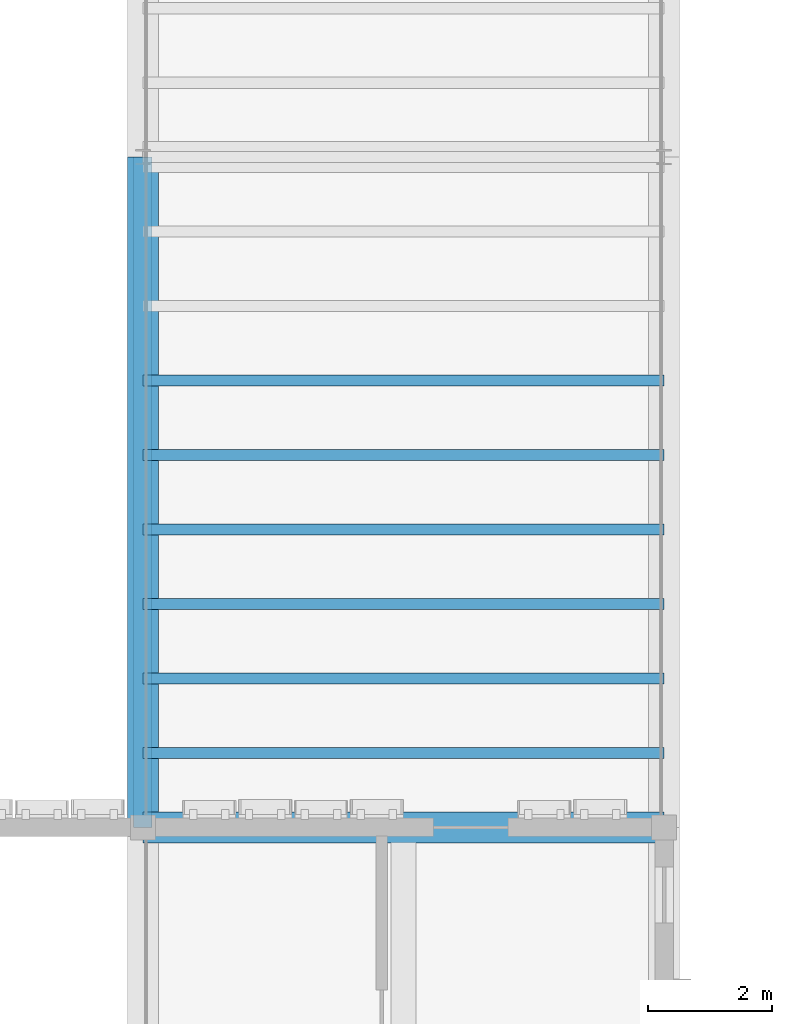
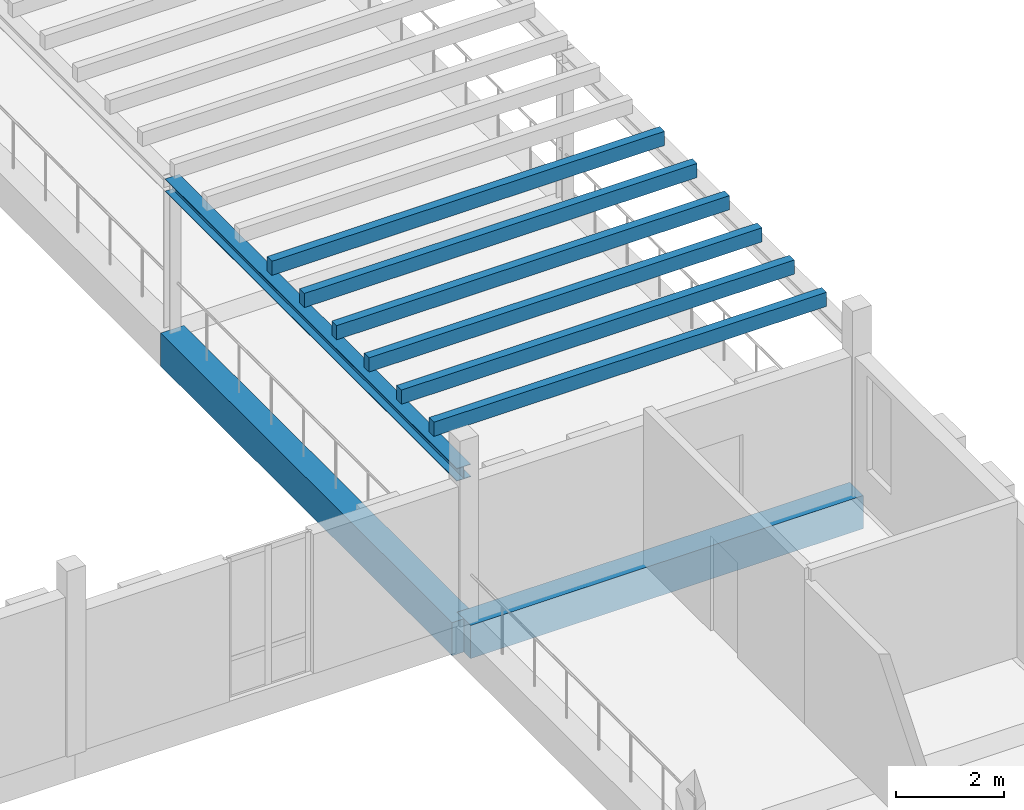
# One storey, part 31 of 99: 6 members, 3 beams.
"""IFC4 building model written with IfcOpenShell, lengths in metres."""

from ifc_helpers import new_model, si_unit, direction, frame, origin, origin_2d, place, context, subcontext, project, spatial, rectangle, i_section, extrude, material, material_profile, profile_set, type_object, element, save


model = new_model("IFC4")

# Units and contexts
model_context = context("Model", 3, precision=1e-05, world=origin(), true_north=direction((0.0, 1.0)))
body_context = subcontext(model_context, "Body", "Model", "MODEL_VIEW")
ifc_project = project(units=[si_unit("LENGTHUNIT", "METRE"), si_unit("AREAUNIT", "SQUARE_METRE"), si_unit("VOLUMEUNIT", "CUBIC_METRE"), si_unit("PLANEANGLEUNIT", "RADIAN"), si_unit("MASSUNIT", "GRAM", prefix="KILO")], contexts=[model_context])

# Site, building, storey
site_placement = place(None, origin())
site = spatial("IfcSite", under=ifc_project, at=site_placement, CompositionType="ELEMENT")
building_placement = place(site_placement, origin())
building = spatial("IfcBuilding", under=site, at=building_placement, Name="Kahlenmark Community Centre", CompositionType="ELEMENT")
storey_placement = place(building_placement, frame((0.0, 0.0, 5.39990234375)))
storey = spatial("IfcBuildingStorey", under=building, at=storey_placement, Name="L01", CompositionType="ELEMENT", Elevation=5.39990234375)

# Beams
ifc_material_1 = material(Name="Steel S355", Category="steel")
ifc_material_profile_1 = material_profile(ifc_material_1, i_section(OverallWidth=0.300048828125, OverallDepth=0.2900390625, WebThickness=0.008544921875, FlangeThickness=0.013916015625, at=origin_2d()), Name="HEA 300")
ifc_profile_set_1 = profile_set([ifc_material_profile_1], Name="Steel S355")
beam_type_1 = type_object("IfcBeamType", Name="BT-SPANDREL-HEA300", PredefinedType="SPANDREL", material=ifc_profile_set_1)
beam_1_placement = place(storey_placement, frame((29.199951171875, 76.0, 3.30517578125), z_axis=(0.0, 1.0, 0.0), x_axis=(-1.0, 0.0, 0.0)))
element("IfcBeam", 1, at=beam_1_placement, inside=storey, type_object=beam_type_1, Name="L01 spandrel SP-PRG300", PredefinedType="SPANDREL", context=body_context, shape_type="SweptSolid", body=[
    extrude(i_section(OverallWidth=0.300048828125, OverallDepth=0.2900390625, WebThickness=0.008544921875, FlangeThickness=0.013916015625, at=origin_2d()), origin(), (0.0, 0.0, 1.0), 10.800048828125),
])
ifc_material_2 = material(Name="Concrete C35/45", Category="concrete")
ifc_material_profile_2 = material_profile(ifc_material_2, rectangle(XDim=0.5, YDim=0.75, at=origin_2d()), Name="RC 500x750")
ifc_profile_set_2 = profile_set([ifc_material_profile_2], Name="Concrete C35/45")
beam_type_2 = type_object("IfcBeamType", Name="BT-SPANDREL-RC500x750", PredefinedType="SPANDREL", material=ifc_profile_set_2)
beam_2_placement = place(storey_placement, frame((29.199951171875, 76.0, -0.375), z_axis=(1.0, 0.0, 0.0), x_axis=(0.0, 1.0, 0.0)))
element("IfcBeam", 2, at=beam_2_placement, inside=storey, type_object=beam_type_2, Name="L01 spandrel SP-RC500x750", PredefinedType="SPANDREL", context=body_context, shape_type="SweptSolid", body=[
    extrude(rectangle(XDim=0.5, YDim=0.75, at=origin_2d()), origin(), (0.0, 0.0, 1.0), 8.400146484375),
])
beam_3_placement = place(storey_placement, frame((29.199951171875, 76.0, -0.375), z_axis=(0.0, 1.0, 0.0), x_axis=(-1.0, 0.0, 0.0)))
element("IfcBeam", 3, at=beam_3_placement, inside=storey, type_object=beam_type_2, Name="L01 spandrel SP-RC500x750", PredefinedType="SPANDREL", context=body_context, shape_type="SweptSolid", body=[
    extrude(rectangle(XDim=0.5, YDim=0.75, at=origin_2d()), origin(), (0.0, 0.0, 1.0), 10.800048828125),
])

# Members
ifc_material_3 = material(Name="Glulam GL28h", Category="wood")
ifc_material_profile_3 = material_profile(ifc_material_3, rectangle(XDim=0.179931640625, YDim=0.320068359375, at=origin_2d()), Name="GL28h 180x320")
ifc_profile_set_3 = profile_set([ifc_material_profile_3], Name="Glulam GL28h")
member_type = type_object("IfcMemberType", Name="MT-RAFTER-GL28h180x320", PredefinedType="RAFTER", material=ifc_profile_set_3)
for number, where, z_axis, x_axis, name in (
    (4, (29.199951171875, 77.199951171875, 3.610107421875), (1.0, 0.0, 0.0), (0.0, 1.0, 0.0), "L01 rafter PRG-RAF"),
    (5, (29.199951171875, 78.39990234375, 3.610107421875), (1.0, 0.0, 0.0), (0.0, 1.0, 0.0), "L01 rafter PRG-RAF"),
    (6, (29.199951171875, 79.60009765625, 3.610107421875), (1.0, 0.0, 0.0), (0.0, 1.0, 0.0), "L01 rafter PRG-RAF"),
    (7, (29.199951171875, 80.800048828125, 3.610107421875), (1.0, 0.0, 0.0), (0.0, 1.0, 0.0), "L01 rafter PRG-RAF"),
    (8, (29.199951171875, 82.0, 3.610107421875), (1.0, 0.0, 0.0), (0.0, 1.0, 0.0), "L01 rafter PRG-RAF"),
    (9, (29.199951171875, 83.199951171875, 3.610107421875), (1.0, 0.0, 0.0), (0.0, 1.0, 0.0), "L01 rafter PRG-RAF"),
):
    element("IfcMember", number, at=place(storey_placement, frame(where, z_axis=z_axis, x_axis=x_axis)), inside=storey, type_object=member_type, Name=name, PredefinedType="RAFTER", context=body_context, shape_type="SweptSolid", body=[
        extrude(rectangle(XDim=0.179931640625, YDim=0.320068359375, at=origin_2d()), origin(), (0.0, 0.0, 1.0), 8.400146484375),
    ])

save(model, "model.ifc")
